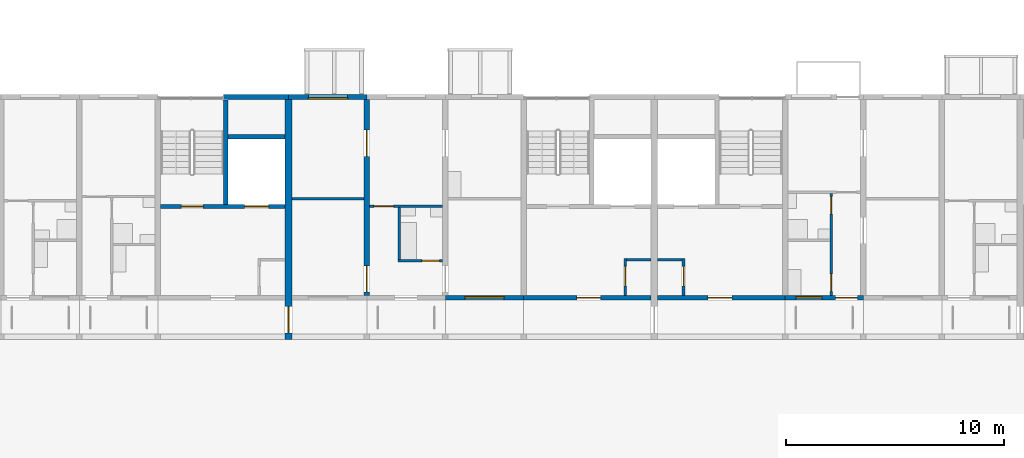
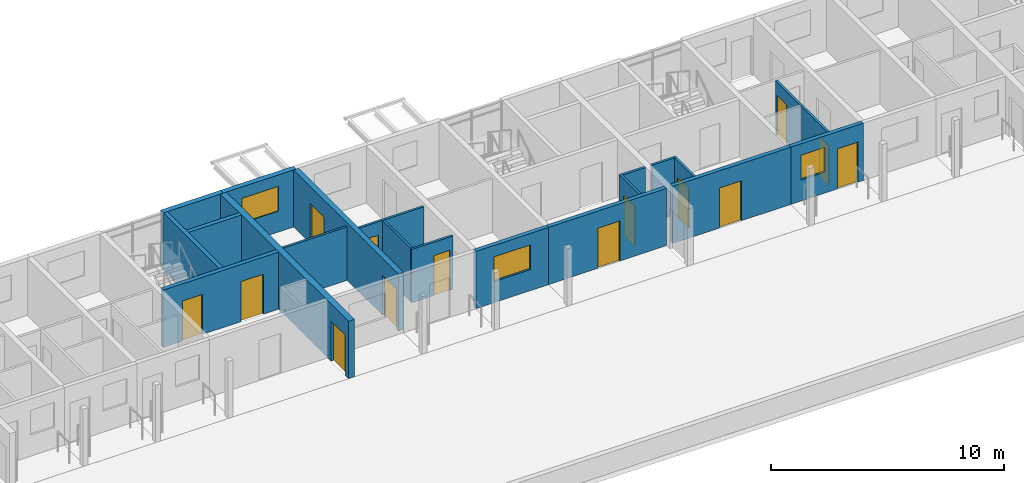
# One storey, part 62 of 115: 20 walls, 14 doors, 3 windows, 17 openings.
"""IFC4 building model written with IfcOpenShell, lengths in metres."""

from ifc_helpers import new_model, si_unit, direction, frame, frame_2d, origin, place, context, subcontext, project, spatial, rectangle, extrude, material, layer, layer_set, type_object, element, fill, save


model = new_model("IFC4")

# Units and contexts
model_context = context("Model", 3, precision=1e-05, world=origin(), true_north=direction((0.0, 1.0)))
body_context = subcontext(model_context, "Body", "Model", "MODEL_VIEW")
ifc_project = project(units=[si_unit("LENGTHUNIT", "METRE"), si_unit("AREAUNIT", "SQUARE_METRE"), si_unit("VOLUMEUNIT", "CUBIC_METRE"), si_unit("PLANEANGLEUNIT", "RADIAN"), si_unit("MASSUNIT", "GRAM", prefix="KILO")], contexts=[model_context])

# Site, building, storey
site_placement = place(None, origin())
site = spatial("IfcSite", under=ifc_project, at=site_placement, CompositionType="ELEMENT")
building_placement = place(site_placement, origin())
building = spatial("IfcBuilding", under=site, at=building_placement, Name="Ridgestep Commons", CompositionType="ELEMENT")
storey_placement = place(building_placement, frame((0.0, 0.0, 6.0)))
storey = spatial("IfcBuildingStorey", under=building, at=storey_placement, Name="L02", CompositionType="ELEMENT", Elevation=6.0)

# Wall, opening, door
ifc_material_1 = material(Name="Concrete C30/37", Category="concrete")
ifc_layer_1 = layer(ifc_material_1, 0.199951171875)
ifc_layer_set_1 = layer_set([ifc_layer_1], Name="Core south wall 200")
wall_type_1 = type_object("IfcWallType", Name="Core south wall 200", PredefinedType="SHEAR", material=ifc_layer_set_1)
wall_1_placement = place(storey_placement, frame((208.0, 13.64990234375, 0.0), z_axis=(0.0, 0.0, 1.0), x_axis=(1.0, 0.0, 0.0)))
wall_1 = element("IfcWall", 1, at=wall_1_placement, inside=storey, type_object=wall_type_1, Name="Core south wall D4C L02", PredefinedType="SHEAR", context=body_context, shape_type="SweptSolid", body=[
    extrude(rectangle(XDim=5.85009765625, YDim=0.199951171875, at=frame_2d((2.925048828125, 0.0))), origin(), (0.0, 0.0, 1.0), 3.0),
])
opening_1_placement = place(wall_1_placement, frame((2.4375, 0.0, 0.0)))
opening_1 = element("IfcOpeningElement", 2, at=opening_1_placement, cuts=wall_1, Name="Opening D4C/02/1", PredefinedType="OPENING", context=body_context, shape_type="SweptSolid", body=[
    extrude(rectangle(XDim=1.10009765625, YDim=2.10009765625, at=frame_2d((0.550048828125, 1.050048828125))), frame((0.0, 0.10986328125, 0.0), z_axis=(0.0, -1.0, 0.0), x_axis=(1.0, 0.0, 0.0)), (0.0, 0.0, 1.0), 0.219970703125),
])
ifc_material_2 = material(Name="Steel fire door", Category="steel")
door_type_1 = type_object("IfcDoorType", Name="Lobby door 1100 x 2100 FD60", OperationType="NOTDEFINED", PredefinedType="DOOR", material=ifc_material_2)
door_1_placement = place(opening_1_placement, origin())
door_1 = element("IfcDoor", 3, at=door_1_placement, inside=storey, type_object=door_type_1, Name="Lobby door D4C/02/1", OperationType="SINGLE_SWING_LEFT", OverallHeight=2.10009765625, OverallWidth=1.10009765625, PredefinedType="DOOR", context=body_context, shape_type="SweptSolid", body=[
    extrude(rectangle(XDim=1.10009765625, YDim=2.10009765625, at=frame_2d((0.550048828125, 1.050048828125))), frame((0.0, 0.02490234375, 0.0), z_axis=(0.0, -1.0, 0.0), x_axis=(1.0, 0.0, 0.0)), (0.0, 0.0, 1.0), 0.050048828125),
])
fill(opening_1, door_1)

wall_2_placement = place(storey_placement, frame((214.14990234375, 13.64990234375, 0.0), z_axis=(0.0, 0.0, 1.0), x_axis=(1.0, 0.0, 0.0)))
wall_2 = element("IfcWall", 4, at=wall_2_placement, inside=storey, type_object=wall_type_1, Name="Core south wall D5C L02", PredefinedType="SHEAR", context=body_context, shape_type="SweptSolid", body=[
    extrude(rectangle(XDim=5.85009765625, YDim=0.199951171875, at=frame_2d((2.925048828125, 0.0))), origin(), (0.0, 0.0, 1.0), 3.0),
])
opening_2_placement = place(wall_2_placement, frame((2.3125, 0.0, 0.0)))
opening_2 = element("IfcOpeningElement", 5, at=opening_2_placement, cuts=wall_2, Name="Opening D5C/02/1", PredefinedType="OPENING", context=body_context, shape_type="SweptSolid", body=[
    extrude(rectangle(XDim=1.10009765625, YDim=2.10009765625, at=frame_2d((0.550048828125, 1.050048828125))), frame((0.0, 0.10986328125, 0.0), z_axis=(0.0, -1.0, 0.0), x_axis=(1.0, 0.0, 0.0)), (0.0, 0.0, 1.0), 0.219970703125),
])
door_2_placement = place(opening_2_placement, origin())
door_2 = element("IfcDoor", 6, at=door_2_placement, inside=storey, type_object=door_type_1, Name="Lobby door D5C/02/1", OperationType="SINGLE_SWING_LEFT", OverallHeight=2.10009765625, OverallWidth=1.10009765625, PredefinedType="DOOR", context=body_context, shape_type="SweptSolid", body=[
    extrude(rectangle(XDim=1.10009765625, YDim=2.10009765625, at=frame_2d((0.550048828125, 1.050048828125))), frame((0.0, 0.02490234375, 0.0), z_axis=(0.0, -1.0, 0.0), x_axis=(1.0, 0.0, 0.0)), (0.0, 0.0, 1.0), 0.050048828125),
])
fill(opening_2, door_2)

ifc_material_3 = material(Name="Concrete C30/37", Category="concrete")
ifc_layer_2 = layer(ifc_material_3, 0.1201171875)
ifc_layer_set_2 = layer_set([ifc_layer_2], Name="Core wall 120")
wall_type_2 = type_object("IfcWallType", Name="Core wall 120", PredefinedType="SHEAR", material=ifc_layer_set_2)
wall_3_placement = place(storey_placement, frame((212.659912109375, 13.75, 0.0), z_axis=(0.0, 0.0, 1.0), x_axis=(0.0, 1.0, 0.0)))
wall_3 = element("IfcWall", 7, at=wall_3_placement, inside=storey, type_object=wall_type_2, Name="Core riser w wall D4C L02", PredefinedType="SHEAR", context=body_context, shape_type="SweptSolid", body=[
    extrude(rectangle(XDim=1.719970703125, YDim=0.1201171875, at=frame_2d((0.85986328125, 0.0))), origin(), (0.0, 0.0, 1.0), 3.0),
])
opening_3_placement = place(wall_3_placement, frame((0.449951171875, 0.0, 0.0)))
opening_3 = element("IfcOpeningElement", 8, at=opening_3_placement, cuts=wall_3, Name="Opening D4C/02/4", PredefinedType="OPENING", context=body_context, shape_type="SweptSolid", body=[
    extrude(rectangle(XDim=0.89990234375, YDim=2.10009765625, at=frame_2d((0.449951171875, 1.050048828125))), frame((0.0, 0.070068359375, 0.0), z_axis=(0.0, -1.0, 0.0), x_axis=(1.0, 0.0, 0.0)), (0.0, 0.0, 1.0), 0.14013671875),
])
ifc_material_4 = material(Name="Steel fire door", Category="steel")
door_type_2 = type_object("IfcDoorType", Name="Riser door 900 x 2100 FD60", OperationType="NOTDEFINED", PredefinedType="DOOR", material=ifc_material_4)
door_3_placement = place(opening_3_placement, origin())
door_3 = element("IfcDoor", 9, at=door_3_placement, inside=storey, type_object=door_type_2, Name="Riser door D4C/02/4", OperationType="SINGLE_SWING_LEFT", OverallHeight=2.10009765625, OverallWidth=0.89990234375, PredefinedType="DOOR", context=body_context, shape_type="SweptSolid", body=[
    extrude(rectangle(XDim=0.89990234375, YDim=2.10009765625, at=frame_2d((0.449951171875, 1.050048828125))), frame((0.0, 0.02490234375, 0.0), z_axis=(0.0, -1.0, 0.0), x_axis=(1.0, 0.0, 0.0)), (0.0, 0.0, 1.0), 0.050048828125),
])
fill(opening_3, door_3)

# Wall
wall_4_placement = place(storey_placement, frame((212.719970703125, 15.409912109375, 0.0), z_axis=(0.0, 0.0, 1.0), x_axis=(1.0, 0.0, 0.0)))
element("IfcWall", 10, at=wall_4_placement, inside=storey, type_object=wall_type_2, Name="Core riser n wall D4C L02", PredefinedType="SHEAR", context=body_context, shape_type="SweptSolid", body=[
    extrude(rectangle(XDim=1.130126953125, YDim=0.1201171875, at=frame_2d((0.56494140625, 0.0))), origin(), (0.0, 0.0, 1.0), 3.0),
])

# Wall, opening, door
wall_5_placement = place(storey_placement, frame((215.340087890625, 13.75, 0.0), z_axis=(0.0, 0.0, 1.0), x_axis=(0.0, 1.0, 0.0)))
wall_5 = element("IfcWall", 11, at=wall_5_placement, inside=storey, type_object=wall_type_2, Name="Core riser w wall D5C L02", PredefinedType="SHEAR", context=body_context, shape_type="SweptSolid", body=[
    extrude(rectangle(XDim=1.719970703125, YDim=0.1201171875, at=frame_2d((0.85986328125, 0.0))), origin(), (0.0, 0.0, 1.0), 3.0),
])
opening_4_placement = place(wall_5_placement, frame((0.449951171875, 0.0, 0.0)))
opening_4 = element("IfcOpeningElement", 12, at=opening_4_placement, cuts=wall_5, Name="Opening D5C/02/4", PredefinedType="OPENING", context=body_context, shape_type="SweptSolid", body=[
    extrude(rectangle(XDim=0.89990234375, YDim=2.10009765625, at=frame_2d((0.449951171875, 1.050048828125))), frame((0.0, 0.070068359375, 0.0), z_axis=(0.0, -1.0, 0.0), x_axis=(1.0, 0.0, 0.0)), (0.0, 0.0, 1.0), 0.14013671875),
])
door_4_placement = place(opening_4_placement, origin())
door_4 = element("IfcDoor", 13, at=door_4_placement, inside=storey, type_object=door_type_2, Name="Riser door D5C/02/4", OperationType="SINGLE_SWING_RIGHT", OverallHeight=2.10009765625, OverallWidth=0.89990234375, PredefinedType="DOOR", context=body_context, shape_type="SweptSolid", body=[
    extrude(rectangle(XDim=0.89990234375, YDim=2.10009765625, at=frame_2d((0.449951171875, 1.050048828125))), frame((0.0, 0.02490234375, 0.0), z_axis=(0.0, -1.0, 0.0), x_axis=(1.0, 0.0, 0.0)), (0.0, 0.0, 1.0), 0.050048828125),
])
fill(opening_4, door_4)

# Wall
wall_6_placement = place(storey_placement, frame((214.14990234375, 15.409912109375, 0.0), z_axis=(0.0, 0.0, 1.0), x_axis=(1.0, 0.0, 0.0)))
element("IfcWall", 14, at=wall_6_placement, inside=storey, type_object=wall_type_2, Name="Core riser n wall D5C L02", PredefinedType="SHEAR", context=body_context, shape_type="SweptSolid", body=[
    extrude(rectangle(XDim=1.130126953125, YDim=0.1201171875, at=frame_2d((0.56494140625, 0.0))), origin(), (0.0, 0.0, 1.0), 3.0),
])

# Wall, openings, doors
ifc_material_5 = material(Name="Concrete C30/37", Category="concrete")
ifc_layer_3 = layer(ifc_material_5, 0.199951171875)
ifc_layer_set_3 = layer_set([ifc_layer_3], Name="Core wall 200")
wall_type_3 = type_object("IfcWallType", Name="Core wall 200", PredefinedType="SHEAR", material=ifc_layer_set_3)
wall_7_placement = place(storey_placement, frame((191.324951171875, 17.85009765625, 0.0), z_axis=(0.0, 0.0, 1.0), x_axis=(1.0, 0.0, 0.0)))
wall_7 = element("IfcWall", 15, at=wall_7_placement, inside=storey, type_object=wall_type_3, Name="Core lobby wall D3C L02", PredefinedType="SHEAR", context=body_context, shape_type="SweptSolid", body=[
    extrude(rectangle(XDim=5.72509765625, YDim=0.199951171875, at=frame_2d((2.862548828125, 0.0))), origin(), (0.0, 0.0, 1.0), 3.0),
])
opening_5_placement = place(wall_7_placement, frame((0.949951171875, 0.0, 0.0)))
opening_5 = element("IfcOpeningElement", 16, at=opening_5_placement, cuts=wall_7, Name="Opening D3C/02/2", PredefinedType="OPENING", context=body_context, shape_type="SweptSolid", body=[
    extrude(rectangle(XDim=1.0, YDim=2.10009765625, at=frame_2d((0.5, 1.050048828125))), frame((0.0, 0.10986328125, 0.0), z_axis=(0.0, -1.0, 0.0), x_axis=(1.0, 0.0, 0.0)), (0.0, 0.0, 1.0), 0.219970703125),
])
opening_6_placement = place(wall_7_placement, frame((3.862548828125, 0.0, 0.0)))
opening_6 = element("IfcOpeningElement", 17, at=opening_6_placement, cuts=wall_7, Name="Opening D3C/02/3", PredefinedType="OPENING", context=body_context, shape_type="SweptSolid", body=[
    extrude(rectangle(XDim=1.10009765625, YDim=2.10009765625, at=frame_2d((0.550048828125, 1.050048828125))), frame((0.0, 0.10986328125, 0.0), z_axis=(0.0, -1.0, 0.0), x_axis=(1.0, 0.0, 0.0)), (0.0, 0.0, 1.0), 0.219970703125),
])
ifc_material_6 = material(Name="Stainless steel", Category="steel")
door_type_3 = type_object("IfcDoorType", Name="Lift landing door 1100 x 2100 FD60", OperationType="DOUBLE_DOOR_SLIDING", PredefinedType="DOOR", material=ifc_material_6)
door_5_placement = place(opening_6_placement, origin())
door_5 = element("IfcDoor", 18, at=door_5_placement, inside=storey, type_object=door_type_3, Name="Landing door LD D3C L02", OperationType="DOUBLE_DOOR_SLIDING", OverallHeight=2.10009765625, OverallWidth=1.10009765625, PredefinedType="DOOR", context=body_context, shape_type="SweptSolid", body=[
    extrude(rectangle(XDim=1.10009765625, YDim=2.10009765625, at=frame_2d((0.550048828125, 1.050048828125))), frame((0.0, 0.02490234375, 0.0), z_axis=(0.0, -1.0, 0.0), x_axis=(1.0, 0.0, 0.0)), (0.0, 0.0, 1.0), 0.050048828125),
])
fill(opening_6, door_5)
ifc_material_7 = material(Name="Steel fire door", Category="steel")
door_type_4 = type_object("IfcDoorType", Name="Stair door 1000 x 2100 FD60", OperationType="NOTDEFINED", PredefinedType="DOOR", material=ifc_material_7)
door_6_placement = place(opening_5_placement, origin())
door_6 = element("IfcDoor", 19, at=door_6_placement, inside=storey, type_object=door_type_4, Name="Stair door D3C/02/2", OperationType="SINGLE_SWING_RIGHT", OverallHeight=2.10009765625, OverallWidth=1.0, PredefinedType="DOOR", context=body_context, shape_type="SweptSolid", body=[
    extrude(rectangle(XDim=1.0, YDim=2.10009765625, at=frame_2d((0.5, 1.050048828125))), frame((0.0, 0.02490234375, 0.0), z_axis=(0.0, -1.0, 0.0), x_axis=(1.0, 0.0, 0.0)), (0.0, 0.0, 1.0), 0.050048828125),
])
fill(opening_5, door_6)

# Walls
wall_8_placement = place(storey_placement, frame((194.324951171875, 17.949951171875, 0.0), z_axis=(0.0, 0.0, 1.0), x_axis=(0.0, 1.0, 0.0)))
element("IfcWall", 20, at=wall_8_placement, inside=storey, type_object=wall_type_3, Name="Core stair wall D3C L02", PredefinedType="SHEAR", context=body_context, shape_type="SweptSolid", body=[
    extrude(rectangle(XDim=4.800048828125, YDim=0.199951171875, at=frame_2d((2.39990234375, 0.0))), origin(), (0.0, 0.0, 1.0), 3.0),
])
wall_9_placement = place(storey_placement, frame((194.425048828125, 21.050048828125, 0.0), z_axis=(0.0, 0.0, 1.0), x_axis=(1.0, 0.0, 0.0)))
element("IfcWall", 21, at=wall_9_placement, inside=storey, type_object=wall_type_3, Name="Core duct wall D3C L02", PredefinedType="SHEAR", context=body_context, shape_type="SweptSolid", body=[
    extrude(rectangle(XDim=2.625, YDim=0.199951171875, at=frame_2d((1.3125, 0.0))), origin(), (0.0, 0.0, 1.0), 3.0),
])

# Wall, openings, doors
ifc_material_8 = material(Name="Precast concrete C40/50", Category="concrete")
ifc_layer_4 = layer(ifc_material_8, 0.25)
ifc_layer_set_4 = layer_set([ifc_layer_4], Name="Cross wall 250")
wall_type_4 = type_object("IfcWallType", Name="Cross wall 250", PredefinedType="SHEAR", material=ifc_layer_set_4)
wall_10_placement = place(storey_placement, frame((200.800048828125, 13.75, 0.0), z_axis=(0.0, 0.0, 1.0), x_axis=(0.0, 1.0, 0.0)))
wall_10 = element("IfcWall", 22, at=wall_10_placement, inside=storey, type_object=wall_type_4, Name="Cross wall D-02-2008", PredefinedType="SHEAR", context=body_context, shape_type="SweptSolid", body=[
    extrude(rectangle(XDim=9.0, YDim=0.25, at=frame_2d((4.5, 0.0))), origin(), (0.0, 0.0, 1.0), 3.0),
])
opening_7_placement = place(wall_10_placement, frame((0.175048828125, 0.0, 0.0)))
opening_7 = element("IfcOpeningElement", 23, at=opening_7_placement, cuts=wall_10, Name="Opening D4-02a/4", PredefinedType="OPENING", context=body_context, shape_type="SweptSolid", body=[
    extrude(rectangle(XDim=1.199951171875, YDim=2.10009765625, at=frame_2d((0.60009765625, 1.050048828125))), frame((0.0, 0.135009765625, 0.0), z_axis=(0.0, -1.0, 0.0), x_axis=(1.0, 0.0, 0.0)), (0.0, 0.0, 1.0), 0.27001953125),
])
opening_8_placement = place(wall_10_placement, frame((6.39990234375, 0.0, 0.0)))
opening_8 = element("IfcOpeningElement", 24, at=opening_8_placement, cuts=wall_10, Name="Opening D4-02a/5", PredefinedType="OPENING", context=body_context, shape_type="SweptSolid", body=[
    extrude(rectangle(XDim=1.199951171875, YDim=2.10009765625, at=frame_2d((0.60009765625, 1.050048828125))), frame((0.0, 0.135009765625, 0.0), z_axis=(0.0, -1.0, 0.0), x_axis=(1.0, 0.0, 0.0)), (0.0, 0.0, 1.0), 0.27001953125),
])
ifc_material_9 = material(Name="Timber door leaf", Category="wood")
door_type_5 = type_object("IfcDoorType", Name="Double door 1200 x 2100", OperationType="DOUBLE_DOOR_SINGLE_SWING", PredefinedType="DOOR", material=ifc_material_9)
door_7_placement = place(opening_7_placement, origin())
door_7 = element("IfcDoor", 25, at=door_7_placement, inside=storey, type_object=door_type_5, Name="Double door D4-02a/4", OperationType="DOUBLE_DOOR_SINGLE_SWING", OverallHeight=2.10009765625, OverallWidth=1.199951171875, PredefinedType="DOOR", context=body_context, shape_type="SweptSolid", body=[
    extrude(rectangle(XDim=1.199951171875, YDim=2.10009765625, at=frame_2d((0.60009765625, 1.050048828125))), frame((0.0, 0.02490234375, 0.0), z_axis=(0.0, -1.0, 0.0), x_axis=(1.0, 0.0, 0.0)), (0.0, 0.0, 1.0), 0.050048828125),
])
fill(opening_7, door_7)
door_8_placement = place(opening_8_placement, origin())
door_8 = element("IfcDoor", 26, at=door_8_placement, inside=storey, type_object=door_type_5, Name="Double door D4-02a/5", OperationType="DOUBLE_DOOR_SINGLE_SWING", OverallHeight=2.10009765625, OverallWidth=1.199951171875, PredefinedType="DOOR", context=body_context, shape_type="SweptSolid", body=[
    extrude(rectangle(XDim=1.199951171875, YDim=2.10009765625, at=frame_2d((0.60009765625, 1.050048828125))), frame((0.0, 0.02490234375, 0.0), z_axis=(0.0, -1.0, 0.0), x_axis=(1.0, 0.0, 0.0)), (0.0, 0.0, 1.0), 0.050048828125),
])
fill(opening_8, door_8)

# Wall, opening, door
ifc_material_10 = material(Name="Precast concrete C40/50", Category="concrete")
ifc_layer_5 = layer(ifc_material_10, 0.300048828125)
ifc_layer_set_5 = layer_set([ifc_layer_5], Name="Division wall 300")
wall_type_5 = type_object("IfcWallType", Name="Division wall 300", PredefinedType="SHEAR", material=ifc_layer_set_5)
wall_11_placement = place(storey_placement, frame((197.199951171875, 11.75, 0.0), z_axis=(0.0, 0.0, 1.0), x_axis=(0.0, 1.0, 0.0)))
wall_11 = element("IfcWall", 27, at=wall_11_placement, inside=storey, type_object=wall_type_5, Name="Cross wall D-02-1972", PredefinedType="SHEAR", context=body_context, shape_type="SweptSolid", body=[
    extrude(rectangle(XDim=11.0, YDim=0.300048828125, at=frame_2d((5.5, 0.0))), origin(), (0.0, 0.0, 1.0), 3.0),
])
opening_9_placement = place(wall_11_placement, frame((0.300048828125, 0.0, 0.0)))
opening_9 = element("IfcOpeningElement", 28, at=opening_9_placement, cuts=wall_11, Name="Opening D/02/G1972", PredefinedType="OPENING", context=body_context, shape_type="SweptSolid", body=[
    extrude(rectangle(XDim=1.199951171875, YDim=2.10009765625, at=frame_2d((0.60009765625, 1.050048828125))), frame((0.0, 0.159912109375, 0.0), z_axis=(0.0, -1.0, 0.0), x_axis=(1.0, 0.0, 0.0)), (0.0, 0.0, 1.0), 0.320068359375),
])
ifc_material_11 = material(Name="Steel fire door", Category="steel")
door_type_6 = type_object("IfcDoorType", Name="Division fire door 1200 x 2100 EI 240", OperationType="DOUBLE_DOOR_SINGLE_SWING", PredefinedType="DOOR", material=ifc_material_11)
door_9_placement = place(opening_9_placement, origin())
door_9 = element("IfcDoor", 29, at=door_9_placement, inside=storey, type_object=door_type_6, Name="Division fire door D/02/G1972", OperationType="DOUBLE_DOOR_SINGLE_SWING", OverallHeight=2.10009765625, OverallWidth=1.199951171875, PredefinedType="DOOR", context=body_context, shape_type="SweptSolid", body=[
    extrude(rectangle(XDim=1.199951171875, YDim=2.10009765625, at=frame_2d((0.60009765625, 1.050048828125))), frame((0.0, 0.02490234375, 0.0), z_axis=(0.0, -1.0, 0.0), x_axis=(1.0, 0.0, 0.0)), (0.0, 0.0, 1.0), 0.050048828125),
])
fill(opening_9, door_9)

# Wall
ifc_material_12 = material(Name="Precast concrete C40/50", Category="concrete")
ifc_layer_6 = layer(ifc_material_12, 0.25)
ifc_layer_set_6 = layer_set([ifc_layer_6], Name="North facade panel 250")
wall_type_6 = type_object("IfcWallType", Name="North facade panel 250", PredefinedType="SOLIDWALL", material=ifc_layer_set_6)
wall_12_placement = place(storey_placement, frame((194.22509765625, 22.875, 0.0), z_axis=(0.0, 0.0, 1.0), x_axis=(1.0, 0.0, 0.0)))
element("IfcWall", 30, at=wall_12_placement, inside=storey, type_object=wall_type_6, Name="North panel D3C L02", PredefinedType="SOLIDWALL", context=body_context, shape_type="SweptSolid", body=[
    extrude(rectangle(XDim=2.974853515625, YDim=0.25, at=frame_2d((1.4873046875, 0.0))), origin(), (0.0, 0.0, 1.0), 3.0),
])

# Wall, opening, window
wall_13_placement = place(storey_placement, frame((197.199951171875, 22.875, 0.0), z_axis=(0.0, 0.0, 1.0), x_axis=(1.0, 0.0, 0.0)))
wall_13 = element("IfcWall", 31, at=wall_13_placement, inside=storey, type_object=wall_type_6, Name="North panel D4T1 L02", PredefinedType="SOLIDWALL", context=body_context, shape_type="SweptSolid", body=[
    extrude(rectangle(XDim=3.60009765625, YDim=0.25, at=frame_2d((1.800048828125, 0.0))), origin(), (0.0, 0.0, 1.0), 3.0),
])
opening_10_placement = place(wall_13_placement, frame((0.91259765625, 0.0, 1.10009765625)))
opening_10 = element("IfcOpeningElement", 32, at=opening_10_placement, cuts=wall_13, Name="Opening W18", PredefinedType="OPENING", context=body_context, shape_type="SweptSolid", body=[
    extrude(rectangle(XDim=1.800048828125, YDim=1.300048828125, at=frame_2d((0.89990234375, 0.64990234375))), frame((0.0, 0.135009765625, 0.0), z_axis=(0.0, -1.0, 0.0), x_axis=(1.0, 0.0, 0.0)), (0.0, 0.0, 1.0), 0.27001953125),
])
ifc_material_13 = material(Name="Aluminium 6063-T6 and glass", Category="aluminium")
window_type_1 = type_object("IfcWindowType", Name="Flat window 1800 x 1300", PartitioningType="DOUBLE_PANEL_VERTICAL", PredefinedType="WINDOW", material=ifc_material_13)
window_1_placement = place(opening_10_placement, origin())
window_1 = element("IfcWindow", 33, at=window_1_placement, inside=storey, type_object=window_type_1, Name="Window D4-02a 2", OverallHeight=1.300048828125, OverallWidth=1.800048828125, PartitioningType="SINGLE_PANEL", PredefinedType="WINDOW", context=body_context, shape_type="SweptSolid", body=[
    extrude(rectangle(XDim=1.800048828125, YDim=1.300048828125, at=frame_2d((0.89990234375, 0.64990234375))), frame((0.0, -0.02490234375, 0.0), z_axis=(0.0, -1.0, 0.0), x_axis=(1.0, 0.0, 0.0)), (0.0, 0.0, 1.0), 0.06005859375),
])
fill(opening_10, window_1)

# Wall, opening, door
ifc_material_14 = material(Name="Common brick 110 mm", Category="masonry")
ifc_layer_7 = layer(ifc_material_14, 0.110107421875)
ifc_layer_set_7 = layer_set([ifc_layer_7], Name="Partition 110")
wall_type_7 = type_object("IfcWallType", Name="Partition 110", PredefinedType="PARTITIONING", material=ifc_layer_set_7)
wall_14_placement = place(storey_placement, frame((202.22509765625, 15.35498046875, 0.0), z_axis=(0.0, 0.0, 1.0), x_axis=(1.0, 0.0, 0.0)))
wall_14 = element("IfcWall", 34, at=wall_14_placement, inside=storey, type_object=wall_type_7, Name="Partition D4-02a", PredefinedType="PARTITIONING", context=body_context, shape_type="SweptSolid", body=[
    extrude(rectangle(XDim=2.0498046875, YDim=0.110107421875, at=frame_2d((1.02490234375, 0.0))), origin(), (0.0, 0.0, 1.0), 2.800048828125),
])
opening_11_placement = place(wall_14_placement, frame((1.10009765625, 0.0, 0.0)))
opening_11 = element("IfcOpeningElement", 35, at=opening_11_placement, cuts=wall_14, Name="Opening D4-02a/2", PredefinedType="OPENING", context=body_context, shape_type="SweptSolid", body=[
    extrude(rectangle(XDim=0.800048828125, YDim=2.10009765625, at=frame_2d((0.39990234375, 1.050048828125))), frame((0.0, 0.06494140625, 0.0), z_axis=(0.0, -1.0, 0.0), x_axis=(1.0, 0.0, 0.0)), (0.0, 0.0, 1.0), 0.130126953125),
])
ifc_material_15 = material(Name="Timber door leaf", Category="wood")
door_type_7 = type_object("IfcDoorType", Name="Internal door 800 x 2100", OperationType="NOTDEFINED", PredefinedType="DOOR", material=ifc_material_15)
door_10_placement = place(opening_11_placement, origin())
door_10 = element("IfcDoor", 36, at=door_10_placement, inside=storey, type_object=door_type_7, Name="Internal door D4-02a/2", OperationType="SINGLE_SWING_RIGHT", OverallHeight=2.10009765625, OverallWidth=0.800048828125, PredefinedType="DOOR", context=body_context, shape_type="SweptSolid", body=[
    extrude(rectangle(XDim=0.800048828125, YDim=2.10009765625, at=frame_2d((0.39990234375, 1.050048828125))), frame((0.0, 0.02490234375, 0.0), z_axis=(0.0, -1.0, 0.0), x_axis=(1.0, 0.0, 0.0)), (0.0, 0.0, 1.0), 0.050048828125),
])
fill(opening_11, door_10)

# Wall
wall_15_placement = place(storey_placement, frame((202.280029296875, 15.409912109375, 0.0), z_axis=(0.0, 0.0, 1.0), x_axis=(0.0, 1.0, 0.0)))
element("IfcWall", 37, at=wall_15_placement, inside=storey, type_object=wall_type_7, Name="Partition D4-02a", PredefinedType="PARTITIONING", context=body_context, shape_type="SweptSolid", body=[
    extrude(rectangle(XDim=2.400146484375, YDim=0.110107421875, at=frame_2d((1.2001953125, 0.0))), origin(), (0.0, 0.0, 1.0), 2.800048828125),
])

# Wall, opening, door
wall_16_placement = place(storey_placement, frame((200.925048828125, 17.864990234375, 0.0), z_axis=(0.0, 0.0, 1.0), x_axis=(1.0, 0.0, 0.0)))
wall_16 = element("IfcWall", 38, at=wall_16_placement, inside=storey, type_object=wall_type_7, Name="Partition D4-02a", PredefinedType="PARTITIONING", context=body_context, shape_type="SweptSolid", body=[
    extrude(rectangle(XDim=3.349853515625, YDim=0.110107421875, at=frame_2d((1.6748046875, 0.0))), origin(), (0.0, 0.0, 1.0), 2.800048828125),
])
opening_12_placement = place(wall_16_placement, frame((0.199951171875, 0.0, 0.0)))
opening_12 = element("IfcOpeningElement", 39, at=opening_12_placement, cuts=wall_16, Name="Opening D4-02a/3", PredefinedType="OPENING", context=body_context, shape_type="SweptSolid", body=[
    extrude(rectangle(XDim=0.89990234375, YDim=2.10009765625, at=frame_2d((0.449951171875, 1.050048828125))), frame((0.0, 0.06494140625, 0.0), z_axis=(0.0, -1.0, 0.0), x_axis=(1.0, 0.0, 0.0)), (0.0, 0.0, 1.0), 0.130126953125),
])
ifc_material_16 = material(Name="Timber door leaf", Category="wood")
door_type_8 = type_object("IfcDoorType", Name="Internal door 900 x 2100", OperationType="NOTDEFINED", PredefinedType="DOOR", material=ifc_material_16)
door_11_placement = place(opening_12_placement, origin())
door_11 = element("IfcDoor", 40, at=door_11_placement, inside=storey, type_object=door_type_8, Name="Internal door D4-02a/3", OperationType="SINGLE_SWING_LEFT", OverallHeight=2.10009765625, OverallWidth=0.89990234375, PredefinedType="DOOR", context=body_context, shape_type="SweptSolid", body=[
    extrude(rectangle(XDim=0.89990234375, YDim=2.10009765625, at=frame_2d((0.449951171875, 1.050048828125))), frame((0.0, 0.02490234375, 0.0), z_axis=(0.0, -1.0, 0.0), x_axis=(1.0, 0.0, 0.0)), (0.0, 0.0, 1.0), 0.050048828125),
])
fill(opening_12, door_11)

# Wall
wall_17_placement = place(storey_placement, frame((197.35009765625, 18.205078125, 0.0), z_axis=(0.0, 0.0, 1.0), x_axis=(1.0, 0.0, 0.0)))
element("IfcWall", 41, at=wall_17_placement, inside=storey, type_object=wall_type_7, Name="Partition D4-02a", PredefinedType="PARTITIONING", context=body_context, shape_type="SweptSolid", body=[
    extrude(rectangle(XDim=3.324951171875, YDim=0.110107421875, at=frame_2d((1.66259765625, 0.0))), origin(), (0.0, 0.0, 1.0), 2.800048828125),
])

# Wall, openings, doors
wall_18_placement = place(storey_placement, frame((222.1201171875, 13.75, 0.0), z_axis=(0.0, 0.0, 1.0), x_axis=(0.0, 1.0, 0.0)))
wall_18 = element("IfcWall", 42, at=wall_18_placement, inside=storey, type_object=wall_type_7, Name="Partition D5-02b", PredefinedType="PARTITIONING", context=body_context, shape_type="SweptSolid", body=[
    extrude(rectangle(XDim=4.699951171875, YDim=0.110107421875, at=frame_2d((2.35009765625, 0.0))), origin(), (0.0, 0.0, 1.0), 2.800048828125),
])
opening_13_placement = place(wall_18_placement, frame((0.199951171875, 0.0, 0.0)))
opening_13 = element("IfcOpeningElement", 43, at=opening_13_placement, cuts=wall_18, Name="Opening D5-02b/2", PredefinedType="OPENING", context=body_context, shape_type="SweptSolid", body=[
    extrude(rectangle(XDim=0.800048828125, YDim=2.10009765625, at=frame_2d((0.39990234375, 1.050048828125))), frame((0.0, 0.06494140625, 0.0), z_axis=(0.0, -1.0, 0.0), x_axis=(1.0, 0.0, 0.0)), (0.0, 0.0, 1.0), 0.130126953125),
])
opening_14_placement = place(wall_18_placement, frame((3.75, 0.0, 0.0)))
opening_14 = element("IfcOpeningElement", 44, at=opening_14_placement, cuts=wall_18, Name="Opening D5-02b/3", PredefinedType="OPENING", context=body_context, shape_type="SweptSolid", body=[
    extrude(rectangle(XDim=0.800048828125, YDim=2.10009765625, at=frame_2d((0.39990234375, 1.050048828125))), frame((0.0, 0.06494140625, 0.0), z_axis=(0.0, -1.0, 0.0), x_axis=(1.0, 0.0, 0.0)), (0.0, 0.0, 1.0), 0.130126953125),
])
door_12_placement = place(opening_13_placement, origin())
door_12 = element("IfcDoor", 45, at=door_12_placement, inside=storey, type_object=door_type_7, Name="Internal door D5-02b/2", OperationType="SINGLE_SWING_LEFT", OverallHeight=2.10009765625, OverallWidth=0.800048828125, PredefinedType="DOOR", context=body_context, shape_type="SweptSolid", body=[
    extrude(rectangle(XDim=0.800048828125, YDim=2.10009765625, at=frame_2d((0.39990234375, 1.050048828125))), frame((0.0, 0.02490234375, 0.0), z_axis=(0.0, -1.0, 0.0), x_axis=(1.0, 0.0, 0.0)), (0.0, 0.0, 1.0), 0.050048828125),
])
fill(opening_13, door_12)
door_13_placement = place(opening_14_placement, origin())
door_13 = element("IfcDoor", 46, at=door_13_placement, inside=storey, type_object=door_type_7, Name="Internal door D5-02b/3", OperationType="SINGLE_SWING_RIGHT", OverallHeight=2.10009765625, OverallWidth=0.800048828125, PredefinedType="DOOR", context=body_context, shape_type="SweptSolid", body=[
    extrude(rectangle(XDim=0.800048828125, YDim=2.10009765625, at=frame_2d((0.39990234375, 1.050048828125))), frame((0.0, 0.02490234375, 0.0), z_axis=(0.0, -1.0, 0.0), x_axis=(1.0, 0.0, 0.0)), (0.0, 0.0, 1.0), 0.050048828125),
])
fill(opening_14, door_13)

# Wall, opening, window
ifc_material_17 = material(Name="Precast concrete C40/50", Category="concrete")
ifc_layer_8 = layer(ifc_material_17, 0.199951171875)
ifc_layer_set_8 = layer_set([ifc_layer_8], Name="South facade panel 200")
wall_type_8 = type_object("IfcWallType", Name="South facade panel 200", PredefinedType="SOLIDWALL", material=ifc_layer_set_8)
wall_19_placement = place(storey_placement, frame((204.39990234375, 13.64990234375, 0.0), z_axis=(0.0, 0.0, 1.0), x_axis=(1.0, 0.0, 0.0)))
wall_19 = element("IfcWall", 47, at=wall_19_placement, inside=storey, type_object=wall_type_8, Name="South panel D4T3 L02", PredefinedType="SOLIDWALL", context=body_context, shape_type="SweptSolid", body=[
    extrude(rectangle(XDim=3.60009765625, YDim=0.199951171875, at=frame_2d((1.800048828125, 0.0))), origin(), (0.0, 0.0, 1.0), 3.0),
])
opening_15_placement = place(wall_19_placement, frame((0.89990234375, 0.0, 1.10009765625)))
opening_15 = element("IfcOpeningElement", 48, at=opening_15_placement, cuts=wall_19, Name="Opening W18", PredefinedType="OPENING", context=body_context, shape_type="SweptSolid", body=[
    extrude(rectangle(XDim=1.800048828125, YDim=1.300048828125, at=frame_2d((0.89990234375, 0.64990234375))), frame((0.0, 0.10986328125, 0.0), z_axis=(0.0, -1.0, 0.0), x_axis=(1.0, 0.0, 0.0)), (0.0, 0.0, 1.0), 0.219970703125),
])
window_2_placement = place(opening_15_placement, origin())
window_2 = element("IfcWindow", 49, at=window_2_placement, inside=storey, type_object=window_type_1, Name="Window D4-02a 3", OverallHeight=1.300048828125, OverallWidth=1.800048828125, PartitioningType="SINGLE_PANEL", PredefinedType="WINDOW", context=body_context, shape_type="SweptSolid", body=[
    extrude(rectangle(XDim=1.800048828125, YDim=1.300048828125, at=frame_2d((0.89990234375, 0.64990234375))), frame((0.0, 0.06005859375, 0.0), z_axis=(0.0, -1.0, 0.0), x_axis=(1.0, 0.0, 0.0)), (0.0, 0.0, 1.0), 0.06005859375),
])
fill(opening_15, window_2)

# Wall, openings, door, window
wall_20_placement = place(storey_placement, frame((220.0, 13.64990234375, 0.0), z_axis=(0.0, 0.0, 1.0), x_axis=(1.0, 0.0, 0.0)))
wall_20 = element("IfcWall", 50, at=wall_20_placement, inside=storey, type_object=wall_type_8, Name="South panel D5T3 L02", PredefinedType="SOLIDWALL", context=body_context, shape_type="SweptSolid", body=[
    extrude(rectangle(XDim=3.60009765625, YDim=0.199951171875, at=frame_2d((1.800048828125, 0.0))), origin(), (0.0, 0.0, 1.0), 3.0),
])
opening_16_placement = place(wall_20_placement, frame((0.4951171875, 0.0, 1.10009765625)))
opening_16 = element("IfcOpeningElement", 51, at=opening_16_placement, cuts=wall_20, Name="Opening W08", PredefinedType="OPENING", context=body_context, shape_type="SweptSolid", body=[
    extrude(rectangle(XDim=1.199951171875, YDim=1.300048828125, at=frame_2d((0.60009765625, 0.64990234375))), frame((0.0, 0.10986328125, 0.0), z_axis=(0.0, -1.0, 0.0), x_axis=(1.0, 0.0, 0.0)), (0.0, 0.0, 1.0), 0.219970703125),
])
opening_17_placement = place(wall_20_placement, frame((2.324951171875, 0.0, 0.0)))
opening_17 = element("IfcOpeningElement", 52, at=opening_17_placement, cuts=wall_20, Name="Opening D5-02b/1", PredefinedType="OPENING", context=body_context, shape_type="SweptSolid", body=[
    extrude(rectangle(XDim=1.0, YDim=2.10009765625, at=frame_2d((0.5, 1.050048828125))), frame((0.0, 0.10986328125, 0.0), z_axis=(0.0, -1.0, 0.0), x_axis=(1.0, 0.0, 0.0)), (0.0, 0.0, 1.0), 0.219970703125),
])
ifc_material_18 = material(Name="Timber door leaf", Category="wood")
door_type_9 = type_object("IfcDoorType", Name="Flat entrance door 1000 x 2100 FD30S", OperationType="NOTDEFINED", PredefinedType="DOOR", material=ifc_material_18)
door_14_placement = place(opening_17_placement, origin())
door_14 = element("IfcDoor", 53, at=door_14_placement, inside=storey, type_object=door_type_9, Name="Flat entrance door D5-02b/1", OperationType="SINGLE_SWING_RIGHT", OverallHeight=2.10009765625, OverallWidth=1.0, PredefinedType="DOOR", context=body_context, shape_type="SweptSolid", body=[
    extrude(rectangle(XDim=1.0, YDim=2.10009765625, at=frame_2d((0.5, 1.050048828125))), frame((0.0, 0.02490234375, 0.0), z_axis=(0.0, -1.0, 0.0), x_axis=(1.0, 0.0, 0.0)), (0.0, 0.0, 1.0), 0.050048828125),
])
fill(opening_17, door_14)
ifc_material_19 = material(Name="Aluminium 6063-T6 and glass", Category="aluminium")
window_type_2 = type_object("IfcWindowType", Name="Flat window 1200 x 1300", PartitioningType="SINGLE_PANEL", PredefinedType="WINDOW", material=ifc_material_19)
window_3_placement = place(opening_16_placement, origin())
window_3 = element("IfcWindow", 54, at=window_3_placement, inside=storey, type_object=window_type_2, Name="Window D5-02b 3", OverallHeight=1.300048828125, OverallWidth=1.199951171875, PartitioningType="SINGLE_PANEL", PredefinedType="WINDOW", context=body_context, shape_type="SweptSolid", body=[
    extrude(rectangle(XDim=1.199951171875, YDim=1.300048828125, at=frame_2d((0.60009765625, 0.64990234375))), frame((0.0, 0.06005859375, 0.0), z_axis=(0.0, -1.0, 0.0), x_axis=(1.0, 0.0, 0.0)), (0.0, 0.0, 1.0), 0.06005859375),
])
fill(opening_16, window_3)

save(model, "model.ifc")
